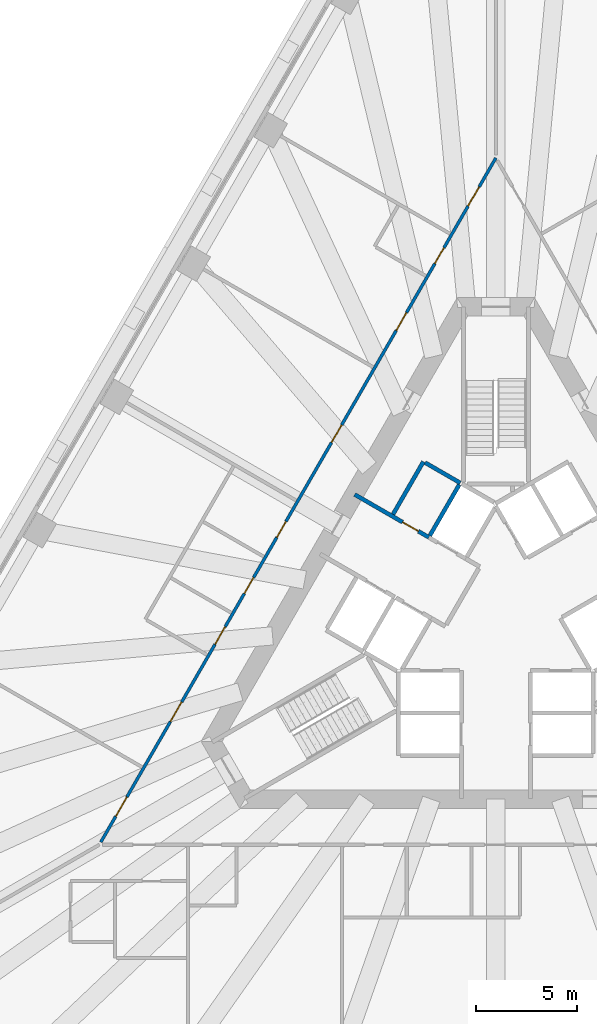
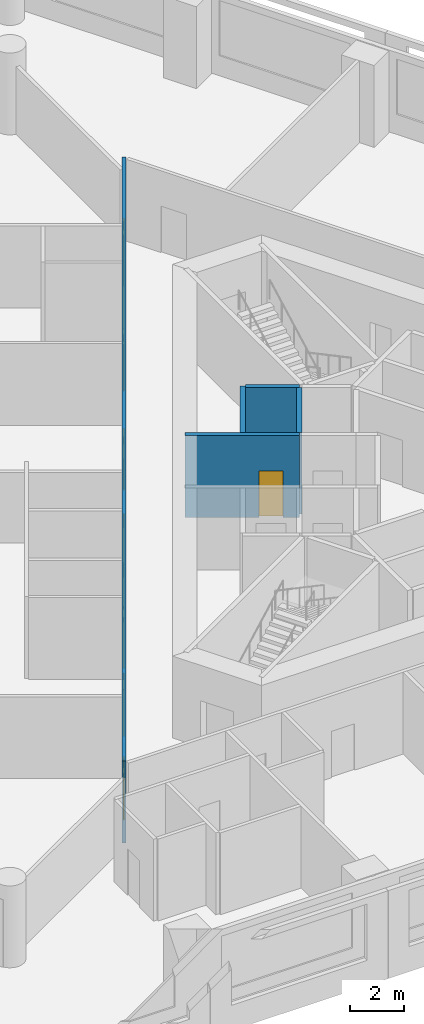
# One storey, part 4 of 11: 10 doors, 5 walls, 10 openings.
"""IFC4 building model written with IfcOpenShell, lengths in metres."""

from ifc_helpers import new_model, si_unit, direction, frame, frame_2d, origin, place, context, subcontext, project, spatial, rectangle, extrude, material, layer, layer_set, type_object, element, fill, save


model = new_model("IFC4")

# Units and contexts
model_context = context("Model", 3, precision=1e-05, world=origin(), true_north=direction((0.0, 1.0)))
body_context = subcontext(model_context, "Body", "Model", "MODEL_VIEW")
ifc_project = project(units=[si_unit("LENGTHUNIT", "METRE"), si_unit("AREAUNIT", "SQUARE_METRE"), si_unit("VOLUMEUNIT", "CUBIC_METRE"), si_unit("PLANEANGLEUNIT", "RADIAN"), si_unit("MASSUNIT", "GRAM", prefix="KILO")], contexts=[model_context])

# Site, building, storey
site_placement = place(None, origin())
site = spatial("IfcSite", under=ifc_project, at=site_placement, CompositionType="ELEMENT")
building_placement = place(site_placement, origin())
building = spatial("IfcBuilding", under=site, at=building_placement, Name="Triada Interchange Tower", CompositionType="ELEMENT")
storey_placement = place(building_placement, frame((0.0, 0.0, 43.300048828125)))
storey = spatial("IfcBuildingStorey", under=building, at=storey_placement, Name="L08", CompositionType="ELEMENT", Elevation=43.300048828125)

# Wall, opening, door
ifc_material_1 = material(Name="Concrete C30/37", Category="concrete")
ifc_layer_1 = layer(ifc_material_1, 0.199951171875)
ifc_layer_set_1 = layer_set([ifc_layer_1], Name="CORE WALL 200 EI 180")
wall_type_1 = type_object("IfcWallType", Name="CORE WALL 200 EI 180", PredefinedType="SOLIDWALL", material=ifc_layer_set_1)
wall_1_placement = place(storey_placement, frame((-6.969970703125, 5.987060546875, 0.0), z_axis=(0.0, 0.0, 1.0), x_axis=(0.866029956157, -0.499992114976, 0.0)))
wall_1 = element("IfcWall", 1, at=wall_1_placement, inside=storey, type_object=wall_type_1, Name="Wall L06 70", PredefinedType="SOLIDWALL", context=body_context, shape_type="SweptSolid", body=[
    extrude(rectangle(XDim=4.23193359375, YDim=0.199951171875, at=frame_2d((2.115966796875, 0.0))), origin(), (0.0, 0.0, 1.0), 3.699951171875),
])
opening_1_placement = place(wall_1_placement, frame((2.72998046875, 0.0, 0.0)))
opening_1 = element("IfcOpeningElement", 2, at=opening_1_placement, cuts=wall_1, Name="Opening D06-10", PredefinedType="OPENING", context=body_context, shape_type="SweptSolid", body=[
    extrude(rectangle(XDim=0.89990234375, YDim=2.10009765625, at=frame_2d((0.449951171875, 1.050048828125))), frame((0.0, 0.10986328125, 0.0), z_axis=(0.0, -1.0, 0.0), x_axis=(1.0, 0.0, 0.0)), (0.0, 0.0, 1.0), 0.219970703125),
])
ifc_material_2 = material(Name="Steel S235 door leaf", Category="steel")
door_type_1 = type_object("IfcDoorType", Name="SERVICE DOOR 900 EI2 90-C5S200", OperationType="NOTDEFINED", PredefinedType="DOOR", material=ifc_material_2)
door_1_placement = place(opening_1_placement, origin())
door_1 = element("IfcDoor", 3, at=door_1_placement, inside=storey, type_object=door_type_1, Name="Door D06-10 L08", OperationType="SINGLE_SWING_LEFT", OverallHeight=2.10009765625, OverallWidth=0.89990234375, PredefinedType="DOOR", context=body_context, shape_type="SweptSolid", body=[
    extrude(rectangle(XDim=0.89990234375, YDim=2.10009765625, at=frame_2d((0.449951171875, 1.050048828125))), frame((0.0, 0.02490234375, 0.0), z_axis=(0.0, -1.0, 0.0), x_axis=(1.0, 0.0, 0.0)), (0.0, 0.0, 1.0), 0.050048828125),
])
fill(opening_1, door_1)

# Walls
wall_2_placement = place(storey_placement, frame((-5.075927734375, 5.009033203125, 0.0), z_axis=(0.0, 0.0, 1.0), x_axis=(0.50002537861, 0.866010750942, 0.0)))
element("IfcWall", 4, at=wall_2_placement, inside=storey, type_object=wall_type_1, Name="Wall L06 72", PredefinedType="SOLIDWALL", context=body_context, shape_type="SweptSolid", body=[
    extrude(rectangle(XDim=2.999755859375, YDim=0.199951171875, at=frame_2d((1.5, 0.0))), origin(), (0.0, 0.0, 1.0), 3.699951171875),
])
wall_3_placement = place(storey_placement, frame((-3.489013671875, 7.556884765625, 0.0), z_axis=(0.0, 0.0, 1.0), x_axis=(0.866010750942, -0.50002537861, 0.0)))
element("IfcWall", 5, at=wall_3_placement, inside=storey, type_object=wall_type_1, Name="Wall L06 73", PredefinedType="SOLIDWALL", context=body_context, shape_type="SweptSolid", body=[
    extrude(rectangle(XDim=2.0, YDim=0.199951171875, at=frame_2d((1.0, 0.0))), origin(), (0.0, 0.0, 1.0), 3.699951171875),
])
wall_4_placement = place(storey_placement, frame((-3.257080078125, 3.958984375, 0.0), z_axis=(0.0, 0.0, 1.0), x_axis=(0.50012328804, 0.865954211699, 0.0)))
element("IfcWall", 6, at=wall_4_placement, inside=storey, type_object=wall_type_1, Name="Shaft wall FF2 L06 80", PredefinedType="SOLIDWALL", context=body_context, shape_type="SweptSolid", body=[
    extrude(rectangle(XDim=2.899658203125, YDim=0.199951171875, at=frame_2d((1.44970703125, 0.0))), origin(), (0.0, 0.0, 1.0), 3.699951171875),
])

# Wall, openings, doors
ifc_material_3 = material(Name="Gypsum board partition")
ifc_layer_2 = layer(ifc_material_3, 0.14990234375)
ifc_layer_set_2 = layer_set([ifc_layer_2], Name="PARTITION 150 EI 180")
wall_type_2 = type_object("IfcWallType", Name="PARTITION 150 EI 180", PredefinedType="PARTITIONING", material=ifc_layer_set_2)
wall_5_placement = place(storey_placement, frame((-19.4970703125, -11.169921875, 0.0), z_axis=(0.0, 0.0, 1.0), x_axis=(0.499998854553, 0.866026065108, 0.0)))
wall_5 = element("IfcWall", 7, at=wall_5_placement, inside=storey, type_object=wall_type_2, Name="Wall L06 4", PredefinedType="PARTITIONING", context=body_context, shape_type="SweptSolid", body=[
    extrude(rectangle(XDim=38.994140625, YDim=0.14990234375, at=frame_2d((19.4970703125, 0.0))), origin(), (0.0, 0.0, 1.0), 3.699951171875),
])
opening_2_placement = place(wall_5_placement, frame((36.243896484375, 0.0, 0.0)))
opening_2 = element("IfcOpeningElement", 8, at=opening_2_placement, cuts=wall_5, Name="Opening D06-31", PredefinedType="OPENING", context=body_context, shape_type="SweptSolid", body=[
    extrude(rectangle(XDim=1.10009765625, YDim=2.10009765625, at=frame_2d((0.550048828125, 1.050048828125))), frame((0.0, 0.0849609375, 0.0), z_axis=(0.0, -1.0, 0.0), x_axis=(1.0, 0.0, 0.0)), (0.0, 0.0, 1.0), 0.169921875),
])
opening_3_placement = place(wall_5_placement, frame((29.1708984375, 0.0, 0.0)))
opening_3 = element("IfcOpeningElement", 9, at=opening_3_placement, cuts=wall_5, Name="Opening D06-32", PredefinedType="OPENING", context=body_context, shape_type="SweptSolid", body=[
    extrude(rectangle(XDim=1.0, YDim=2.10009765625, at=frame_2d((0.5, 1.050048828125))), frame((0.0, 0.0849609375, 0.0), z_axis=(0.0, -1.0, 0.0), x_axis=(1.0, 0.0, 0.0)), (0.0, 0.0, 1.0), 0.169921875),
])
opening_4_placement = place(wall_5_placement, frame((32.970947265625, 0.0, 0.0)))
opening_4 = element("IfcOpeningElement", 10, at=opening_4_placement, cuts=wall_5, Name="Opening D06-33", PredefinedType="OPENING", context=body_context, shape_type="SweptSolid", body=[
    extrude(rectangle(XDim=0.89990234375, YDim=2.10009765625, at=frame_2d((0.449951171875, 1.050048828125))), frame((0.0, 0.0849609375, 0.0), z_axis=(0.0, -1.0, 0.0), x_axis=(1.0, 0.0, 0.0)), (0.0, 0.0, 1.0), 0.169921875),
])
opening_5_placement = place(wall_5_placement, frame((22.77099609375, 0.0, 0.0)))
opening_5 = element("IfcOpeningElement", 11, at=opening_5_placement, cuts=wall_5, Name="Opening D06-34", PredefinedType="OPENING", context=body_context, shape_type="SweptSolid", body=[
    extrude(rectangle(XDim=1.0, YDim=2.10009765625, at=frame_2d((0.5, 1.050048828125))), frame((0.0, 0.0849609375, 0.0), z_axis=(0.0, -1.0, 0.0), x_axis=(1.0, 0.0, 0.0)), (0.0, 0.0, 1.0), 0.169921875),
])
opening_6_placement = place(wall_5_placement, frame((6.8720703125, 0.0, 0.0)))
opening_6 = element("IfcOpeningElement", 12, at=opening_6_placement, cuts=wall_5, Name="Opening D06-35", PredefinedType="OPENING", context=body_context, shape_type="SweptSolid", body=[
    extrude(rectangle(XDim=1.10009765625, YDim=2.10009765625, at=frame_2d((0.550048828125, 1.050048828125))), frame((0.0, 0.0849609375, 0.0), z_axis=(0.0, -1.0, 0.0), x_axis=(1.0, 0.0, 0.0)), (0.0, 0.0, 1.0), 0.169921875),
])
opening_7_placement = place(wall_5_placement, frame((17.3720703125, 0.0, 0.0)))
opening_7 = element("IfcOpeningElement", 13, at=opening_7_placement, cuts=wall_5, Name="Opening D06-36", PredefinedType="OPENING", context=body_context, shape_type="SweptSolid", body=[
    extrude(rectangle(XDim=0.89990234375, YDim=2.10009765625, at=frame_2d((0.449951171875, 1.050048828125))), frame((0.0, 0.0849609375, 0.0), z_axis=(0.0, -1.0, 0.0), x_axis=(1.0, 0.0, 0.0)), (0.0, 0.0, 1.0), 0.169921875),
])
opening_8_placement = place(wall_5_placement, frame((14.172119140625, 0.0, 0.0)))
opening_8 = element("IfcOpeningElement", 14, at=opening_8_placement, cuts=wall_5, Name="Opening D06-37", PredefinedType="OPENING", context=body_context, shape_type="SweptSolid", body=[
    extrude(rectangle(XDim=0.89990234375, YDim=2.10009765625, at=frame_2d((0.449951171875, 1.050048828125))), frame((0.0, 0.0849609375, 0.0), z_axis=(0.0, -1.0, 0.0), x_axis=(1.0, 0.0, 0.0)), (0.0, 0.0, 1.0), 0.169921875),
])
opening_9_placement = place(wall_5_placement, frame((11.27197265625, 0.0, 0.0)))
opening_9 = element("IfcOpeningElement", 15, at=opening_9_placement, cuts=wall_5, Name="Opening D06-38", PredefinedType="OPENING", context=body_context, shape_type="SweptSolid", body=[
    extrude(rectangle(XDim=1.0, YDim=2.10009765625, at=frame_2d((0.5, 1.050048828125))), frame((0.0, 0.0849609375, 0.0), z_axis=(0.0, -1.0, 0.0), x_axis=(1.0, 0.0, 0.0)), (0.0, 0.0, 1.0), 0.169921875),
])
opening_10_placement = place(wall_5_placement, frame((1.472900390625, 0.0, 0.0)))
opening_10 = element("IfcOpeningElement", 16, at=opening_10_placement, cuts=wall_5, Name="Opening D06-39", PredefinedType="OPENING", context=body_context, shape_type="SweptSolid", body=[
    extrude(rectangle(XDim=1.10009765625, YDim=2.10009765625, at=frame_2d((0.550048828125, 1.050048828125))), frame((0.0, 0.0849609375, 0.0), z_axis=(0.0, -1.0, 0.0), x_axis=(1.0, 0.0, 0.0)), (0.0, 0.0, 1.0), 0.169921875),
])
door_type_2 = type_object("IfcDoorType", Name="ROOM DOOR 1000 EI2 90-C5S200", OperationType="NOTDEFINED", PredefinedType="DOOR", material=ifc_material_2)
door_2_placement = place(opening_3_placement, origin())
door_2 = element("IfcDoor", 17, at=door_2_placement, inside=storey, type_object=door_type_2, Name="Door D06-32 L08", OperationType="SINGLE_SWING_LEFT", OverallHeight=2.10009765625, OverallWidth=1.0, PredefinedType="DOOR", context=body_context, shape_type="SweptSolid", body=[
    extrude(rectangle(XDim=1.0, YDim=2.10009765625, at=frame_2d((0.5, 1.050048828125))), frame((0.0, 0.02490234375, 0.0), z_axis=(0.0, -1.0, 0.0), x_axis=(1.0, 0.0, 0.0)), (0.0, 0.0, 1.0), 0.050048828125),
])
fill(opening_3, door_2)
door_3_placement = place(opening_5_placement, origin())
door_3 = element("IfcDoor", 18, at=door_3_placement, inside=storey, type_object=door_type_2, Name="Door D06-34 L08", OperationType="SINGLE_SWING_LEFT", OverallHeight=2.10009765625, OverallWidth=1.0, PredefinedType="DOOR", context=body_context, shape_type="SweptSolid", body=[
    extrude(rectangle(XDim=1.0, YDim=2.10009765625, at=frame_2d((0.5, 1.050048828125))), frame((0.0, 0.02490234375, 0.0), z_axis=(0.0, -1.0, 0.0), x_axis=(1.0, 0.0, 0.0)), (0.0, 0.0, 1.0), 0.050048828125),
])
fill(opening_5, door_3)
door_4_placement = place(opening_9_placement, origin())
door_4 = element("IfcDoor", 19, at=door_4_placement, inside=storey, type_object=door_type_2, Name="Door D06-38 L08", OperationType="SINGLE_SWING_RIGHT", OverallHeight=2.10009765625, OverallWidth=1.0, PredefinedType="DOOR", context=body_context, shape_type="SweptSolid", body=[
    extrude(rectangle(XDim=1.0, YDim=2.10009765625, at=frame_2d((0.5, 1.050048828125))), frame((0.0, 0.02490234375, 0.0), z_axis=(0.0, -1.0, 0.0), x_axis=(1.0, 0.0, 0.0)), (0.0, 0.0, 1.0), 0.050048828125),
])
fill(opening_9, door_4)
door_type_3 = type_object("IfcDoorType", Name="ROOM DOOR 900 EI2 90-C5S200", OperationType="NOTDEFINED", PredefinedType="DOOR", material=ifc_material_2)
door_5_placement = place(opening_7_placement, origin())
door_5 = element("IfcDoor", 20, at=door_5_placement, inside=storey, type_object=door_type_3, Name="Door D06-36 L08", OperationType="SINGLE_SWING_RIGHT", OverallHeight=2.10009765625, OverallWidth=0.89990234375, PredefinedType="DOOR", context=body_context, shape_type="SweptSolid", body=[
    extrude(rectangle(XDim=0.89990234375, YDim=2.10009765625, at=frame_2d((0.449951171875, 1.050048828125))), frame((0.0, 0.02490234375, 0.0), z_axis=(0.0, -1.0, 0.0), x_axis=(1.0, 0.0, 0.0)), (0.0, 0.0, 1.0), 0.050048828125),
])
fill(opening_7, door_5)
door_6_placement = place(opening_8_placement, origin())
door_6 = element("IfcDoor", 21, at=door_6_placement, inside=storey, type_object=door_type_3, Name="Door D06-37 L08", OperationType="SINGLE_SWING_LEFT", OverallHeight=2.10009765625, OverallWidth=0.89990234375, PredefinedType="DOOR", context=body_context, shape_type="SweptSolid", body=[
    extrude(rectangle(XDim=0.89990234375, YDim=2.10009765625, at=frame_2d((0.449951171875, 1.050048828125))), frame((0.0, 0.02490234375, 0.0), z_axis=(0.0, -1.0, 0.0), x_axis=(1.0, 0.0, 0.0)), (0.0, 0.0, 1.0), 0.050048828125),
])
fill(opening_8, door_6)
door_7_placement = place(opening_4_placement, origin())
door_7 = element("IfcDoor", 22, at=door_7_placement, inside=storey, type_object=door_type_1, Name="Door D06-33 L08", OperationType="SINGLE_SWING_LEFT", OverallHeight=2.10009765625, OverallWidth=0.89990234375, PredefinedType="DOOR", context=body_context, shape_type="SweptSolid", body=[
    extrude(rectangle(XDim=0.89990234375, YDim=2.10009765625, at=frame_2d((0.449951171875, 1.050048828125))), frame((0.0, 0.02490234375, 0.0), z_axis=(0.0, -1.0, 0.0), x_axis=(1.0, 0.0, 0.0)), (0.0, 0.0, 1.0), 0.050048828125),
])
fill(opening_4, door_7)
door_type_4 = type_object("IfcDoorType", Name="TENANCY ENTRANCE DOOR 1100 EI2 90-C5S200", OperationType="NOTDEFINED", PredefinedType="DOOR", material=ifc_material_2)
door_8_placement = place(opening_2_placement, origin())
door_8 = element("IfcDoor", 23, at=door_8_placement, inside=storey, type_object=door_type_4, Name="Door D06-31 L08", OperationType="SINGLE_SWING_RIGHT", OverallHeight=2.10009765625, OverallWidth=1.10009765625, PredefinedType="DOOR", context=body_context, shape_type="SweptSolid", body=[
    extrude(rectangle(XDim=1.10009765625, YDim=2.10009765625, at=frame_2d((0.550048828125, 1.050048828125))), frame((0.0, 0.02490234375, 0.0), z_axis=(0.0, -1.0, 0.0), x_axis=(1.0, 0.0, 0.0)), (0.0, 0.0, 1.0), 0.050048828125),
])
fill(opening_2, door_8)
door_9_placement = place(opening_6_placement, origin())
door_9 = element("IfcDoor", 24, at=door_9_placement, inside=storey, type_object=door_type_4, Name="Door D06-35 L08", OperationType="SINGLE_SWING_RIGHT", OverallHeight=2.10009765625, OverallWidth=1.10009765625, PredefinedType="DOOR", context=body_context, shape_type="SweptSolid", body=[
    extrude(rectangle(XDim=1.10009765625, YDim=2.10009765625, at=frame_2d((0.550048828125, 1.050048828125))), frame((0.0, 0.02490234375, 0.0), z_axis=(0.0, -1.0, 0.0), x_axis=(1.0, 0.0, 0.0)), (0.0, 0.0, 1.0), 0.050048828125),
])
fill(opening_6, door_9)
door_10_placement = place(opening_10_placement, origin())
door_10 = element("IfcDoor", 25, at=door_10_placement, inside=storey, type_object=door_type_4, Name="Door D06-39 L08", OperationType="SINGLE_SWING_LEFT", OverallHeight=2.10009765625, OverallWidth=1.10009765625, PredefinedType="DOOR", context=body_context, shape_type="SweptSolid", body=[
    extrude(rectangle(XDim=1.10009765625, YDim=2.10009765625, at=frame_2d((0.550048828125, 1.050048828125))), frame((0.0, 0.02490234375, 0.0), z_axis=(0.0, -1.0, 0.0), x_axis=(1.0, 0.0, 0.0)), (0.0, 0.0, 1.0), 0.050048828125),
])
fill(opening_10, door_10)

save(model, "model.ifc")
